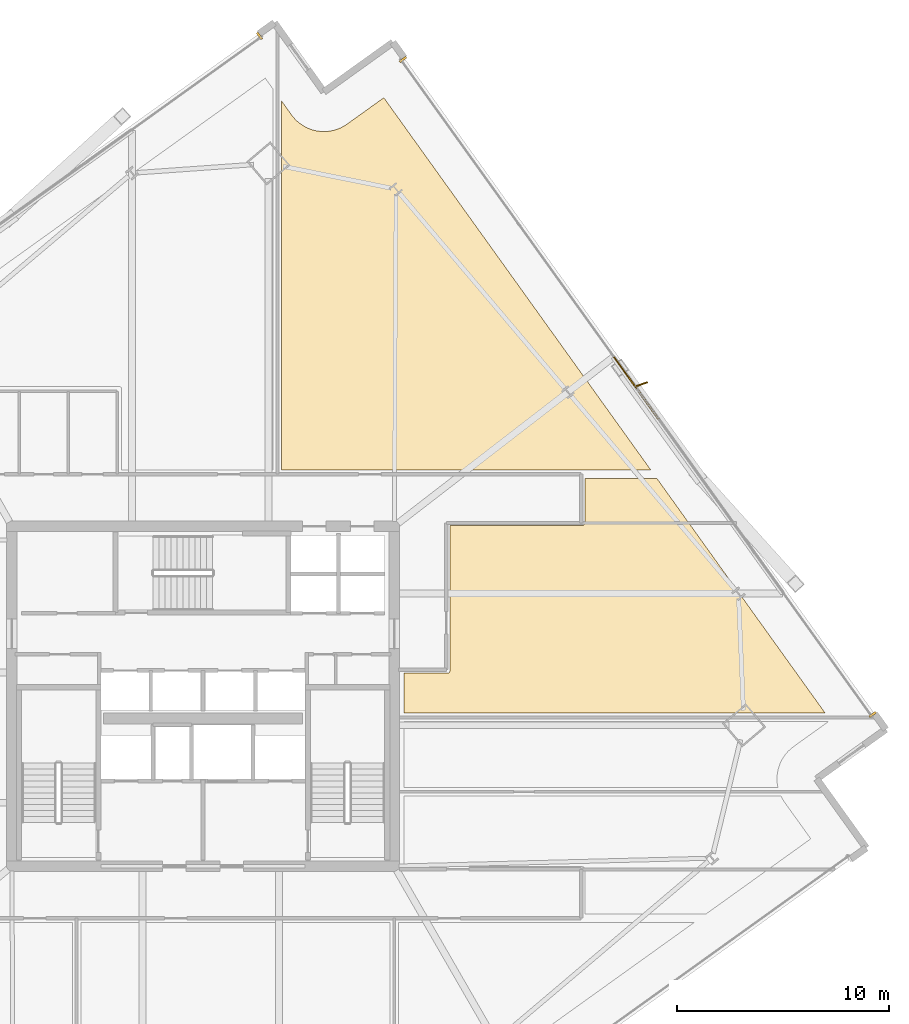
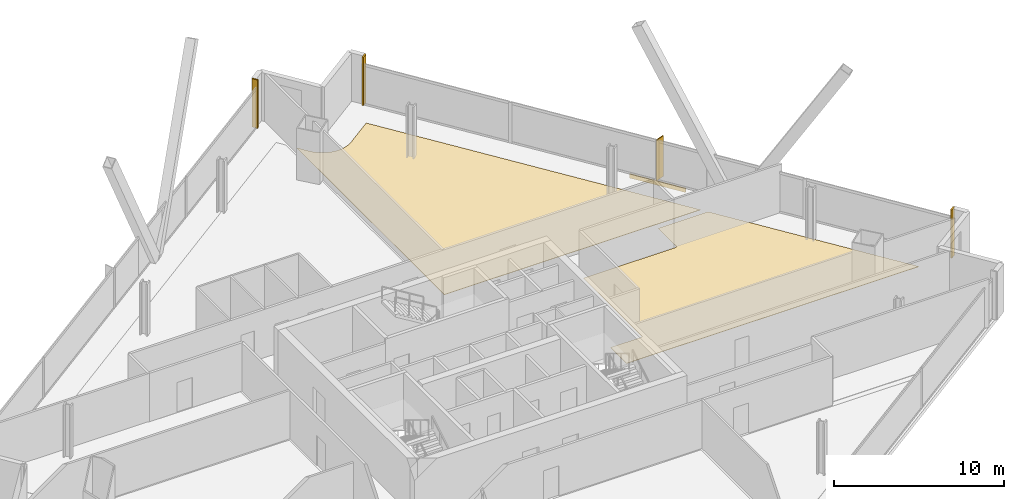
# One storey, part 33 of 33: 6 coverings, 1 shading device.
"""IFC4 building model written with IfcOpenShell, lengths in metres."""

from ifc_helpers import new_model, si_unit, direction, frame, origin, origin_2d, place, context, subcontext, project, spatial, polyline, rectangle, outline, extrude, source, transform, mapped, material, layer, layer_set, type_object, element, save


model = new_model("IFC4")

# Units and contexts
model_context = context("Model", 3, precision=1e-05, world=origin(), true_north=direction((0.0, 1.0)))
body_context = subcontext(model_context, "Body", "Model", "MODEL_VIEW")
ifc_project = project(units=[si_unit("LENGTHUNIT", "METRE"), si_unit("AREAUNIT", "SQUARE_METRE"), si_unit("VOLUMEUNIT", "CUBIC_METRE"), si_unit("PLANEANGLEUNIT", "RADIAN"), si_unit("MASSUNIT", "GRAM", prefix="KILO")], contexts=[model_context])

# Site, building, storey
site_placement = place(None, origin())
site = spatial("IfcSite", under=ifc_project, at=site_placement, CompositionType="ELEMENT")
building_placement = place(site_placement, origin())
building = spatial("IfcBuilding", under=site, at=building_placement, Name="Haldenkirk Collegiate Tower", CompositionType="ELEMENT")
storey_placement = place(building_placement, frame((0.0, 0.0, 148.199951171875)))
storey = spatial("IfcBuildingStorey", under=building, at=storey_placement, Name="L36", CompositionType="ELEMENT", Elevation=148.199951171875)

# Coverings
ifc_material_1 = material(Name="Polished collegiate terrazzo", Category="concrete")
ifc_layer_1 = layer(ifc_material_1, 0.02490234375)
ifc_layer_set_1 = layer_set([ifc_layer_1], Name="Polished collegiate terrazzo")
covering_type_1 = type_object("IfcCoveringType", Name="COV-FLOOR-TERRAZZO", PredefinedType="FLOORING", material=ifc_layer_set_1)
covering_1_placement = place(storey_placement, origin())
element("IfcCovering", 1, at=covering_1_placement, inside=storey, type_object=covering_type_1, Name="L36 academic room finish 06", PredefinedType="FLOORING", context=body_context, shape_type="SweptSolid", body=[
    extrude(outline(polyline([(40.16748046875, 53.35546875), (40.1708984375, 53.3505859375), (40.27783203125, 53.21630859375), (40.285400390625, 53.20751953125), (40.405029296875, 53.083984375), (40.41357421875, 53.075927734375), (40.544677734375, 52.965087890625), (40.553955078125, 52.9580078125), (40.695068359375, 52.860107421875), (40.705078125, 52.85400390625), (40.855224609375, 52.7705078125), (40.865966796875, 52.765380859375), (41.0234375, 52.697265625), (41.034423828125, 52.693115234375), (41.197998046875, 52.640380859375), (41.20947265625, 52.637451171875), (41.37744140625, 52.601318359375), (41.388916015625, 52.599609375), (41.5595703125, 52.579833984375), (41.5712890625, 52.5791015625), (41.742919921875, 52.576416015625), (41.754638671875, 52.576904296875), (41.92578125, 52.5908203125), (41.9375, 52.59228515625), (42.1064453125, 52.623291015625), (42.117919921875, 52.6259765625), (42.283203125, 52.673095703125), (42.294189453125, 52.677001953125), (42.4541015625, 52.739990234375), (42.464599609375, 52.7451171875), (42.617431640625, 52.823486328125), (42.627685546875, 52.829345703125), (42.77197265625, 52.922607421875), (42.776611328125, 52.92578125), (44.507568359375, 54.167236328125), (57.072021484375, 36.64990234375), (39.699951171875, 36.64990234375), (39.699951171875, 54.007080078125), (40.16748046875, 53.35546875)])), origin(), (0.0, 0.0, 1.0), 0.025146484375),
])
covering_2_placement = place(storey_placement, origin())
element("IfcCovering", 2, at=covering_2_placement, inside=storey, type_object=covering_type_1, Name="L36 academic room finish 12", PredefinedType="FLOORING", context=body_context, shape_type="SweptSolid", body=[
    extrude(outline(polyline([(47.5, 27.080078125), (47.51171875, 27.08056640625), (47.5234375, 27.082275390625), (47.534912109375, 27.085205078125), (47.5458984375, 27.089111328125), (47.556640625, 27.09423828125), (47.566650390625, 27.10009765625), (47.576171875, 27.107177734375), (47.5849609375, 27.114990234375), (47.5927734375, 27.123779296875), (47.599853515625, 27.13330078125), (47.605712890625, 27.143310546875), (47.61083984375, 27.154052734375), (47.61474609375, 27.165283203125), (47.61767578125, 27.176513671875), (47.619384765625, 27.188232421875), (47.6201171875, 27.199951171875), (47.6201171875, 34.030029296875), (53.85009765625, 34.030029296875), (53.86181640625, 34.030517578125), (53.873291015625, 34.0322265625), (53.884765625, 34.03515625), (53.89599609375, 34.0390625), (53.906494140625, 34.044189453125), (53.916748046875, 34.05029296875), (53.926025390625, 34.05712890625), (53.934814453125, 34.065185546875), (53.94287109375, 34.073974609375), (53.94970703125, 34.083251953125), (53.955810546875, 34.093505859375), (53.9609375, 34.10400390625), (53.96484375, 34.115234375), (53.9677734375, 34.126708984375), (53.969482421875, 34.13818359375), (53.969970703125, 34.14990234375), (53.969970703125, 36.25), (57.35888671875, 36.25), (65.284423828125, 25.199951171875), (45.449951171875, 25.199951171875), (45.449951171875, 27.080078125), (47.5, 27.080078125)])), origin(), (0.0, 0.0, 1.0), 0.025146484375),
])
ifc_material_2 = material(Name="Anodised architectural bronze aluminium", Category="aluminium")
ifc_layer_2 = layer(ifc_material_2, 0.06005859375)
ifc_layer_set_2 = layer_set([ifc_layer_2], Name="Anodised architectural bronze aluminium")
covering_type_2 = type_object("IfcCoveringType", Name="COV-CLAD-BRONZE-60", PredefinedType="CLADDING", material=ifc_layer_set_2)
shared_shape_1 = source(origin(), body_context, "Body", "SweptSolid", [
    extrude(rectangle(XDim=3.60009765625, YDim=0.06005859375, at=origin_2d()), origin(), (0.0, 0.0, 1.0), 0.300048828125),
])
covering_3_placement = place(storey_placement, frame((56.389404296875, 40.501220703125, -0.2998046875), z_axis=(0.0, 0.0, 1.0), x_axis=(0.582832312683, -0.812592453382, 0.0)))
element("IfcCovering", 3, at=covering_3_placement, inside=storey, type_object=covering_type_2, Name="L36 architectural bronze spandrel cladding E", PredefinedType="CLADDING", context=body_context, shape_type="MappedRepresentation", body=[
    mapped(shared_shape_1, transform((0.0, 0.0, 0.0), x_axis=(1.0, 0.0, 0.0), y_axis=(0.0, 1.0, 0.0), z_axis=(0.0, 0.0, 1.0), scale=1.0)),
])
shared_shape_2 = source(origin(), body_context, "Body", "SweptSolid", [
    extrude(rectangle(XDim=0.10009765625, YDim=0.3798828125, at=origin_2d()), origin(), (0.0, 0.0, 1.0), 3.4599609375),
])
for number, where, z_axis, x_axis, name in (
    (4, (45.40625, 55.968505859375, 0.0), (0.0, 0.0, 1.0), (0.582832312683, -0.812592453382, 0.0), "L36 recessed curtain-wall bronze jamb closure EJL"),
    (5, (67.518798828125, 25.138671875, 0.0), (0.0, 0.0, 1.0), (0.582832312683, -0.812592453382, 0.0), "L36 recessed curtain-wall bronze jamb closure EJR"),
    (6, (38.65234375, 57.08056640625, 0.0), (0.0, 0.0, 1.0), (0.812592453382, 0.582832312683, 0.0), "L36 recessed curtain-wall bronze jamb closure NJR"),
):
    element("IfcCovering", number, at=place(storey_placement, frame(where, z_axis=z_axis, x_axis=x_axis)), inside=storey, type_object=covering_type_2, Name=name, PredefinedType="CLADDING", context=body_context, shape_type="MappedRepresentation", body=[
        mapped(shared_shape_2, transform((0.0, 0.0, 0.0), x_axis=(1.0, 0.0, 0.0), y_axis=(0.0, 1.0, 0.0), z_axis=(0.0, 0.0, 1.0), scale=1.0)),
    ])

# Shading device
ifc_layer_3 = layer(ifc_material_2, 0.06494140625)
ifc_layer_set_3 = layer_set([ifc_layer_3], Name="Anodised architectural bronze aluminium")
shading_device_type = type_object("IfcShadingDeviceType", Name="SHD-FIN-BRONZE-620", PredefinedType="USERDEFINED", material=ifc_layer_set_3)
shared_shape_3 = source(origin(), body_context, "Body", "SweptSolid", [
    extrude(rectangle(XDim=0.6201171875, YDim=0.06494140625, at=origin_2d()), origin(), (0.0, 0.0, 1.0), 2.910888671875),
])
shading_device_placement = place(storey_placement, frame((56.629150390625, 40.673095703125, 0.0), z_axis=(0.0, 0.0, 1.0), x_axis=(0.941764357397, 0.33627354213, 0.0)))
element("IfcShadingDevice", 7, at=shading_device_placement, inside=storey, type_object=shading_device_type, Name="L36 folded bronze solar fin 1", ObjectType="FIN", PredefinedType="USERDEFINED", context=body_context, shape_type="MappedRepresentation", body=[
    mapped(shared_shape_3, transform((0.0, 0.0, 0.0), x_axis=(1.0, 0.0, 0.0), y_axis=(0.0, 1.0, 0.0), z_axis=(0.0, 0.0, 1.0), scale=1.0)),
])

save(model, "model.ifc")
